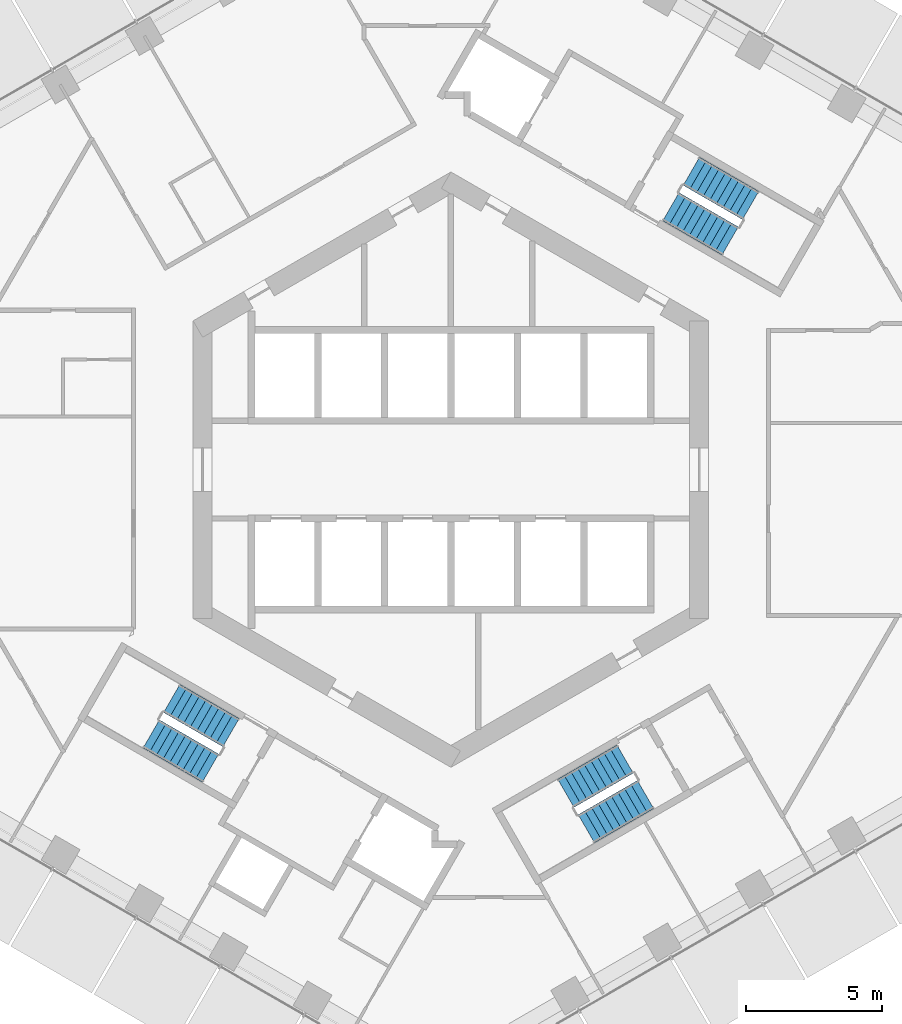
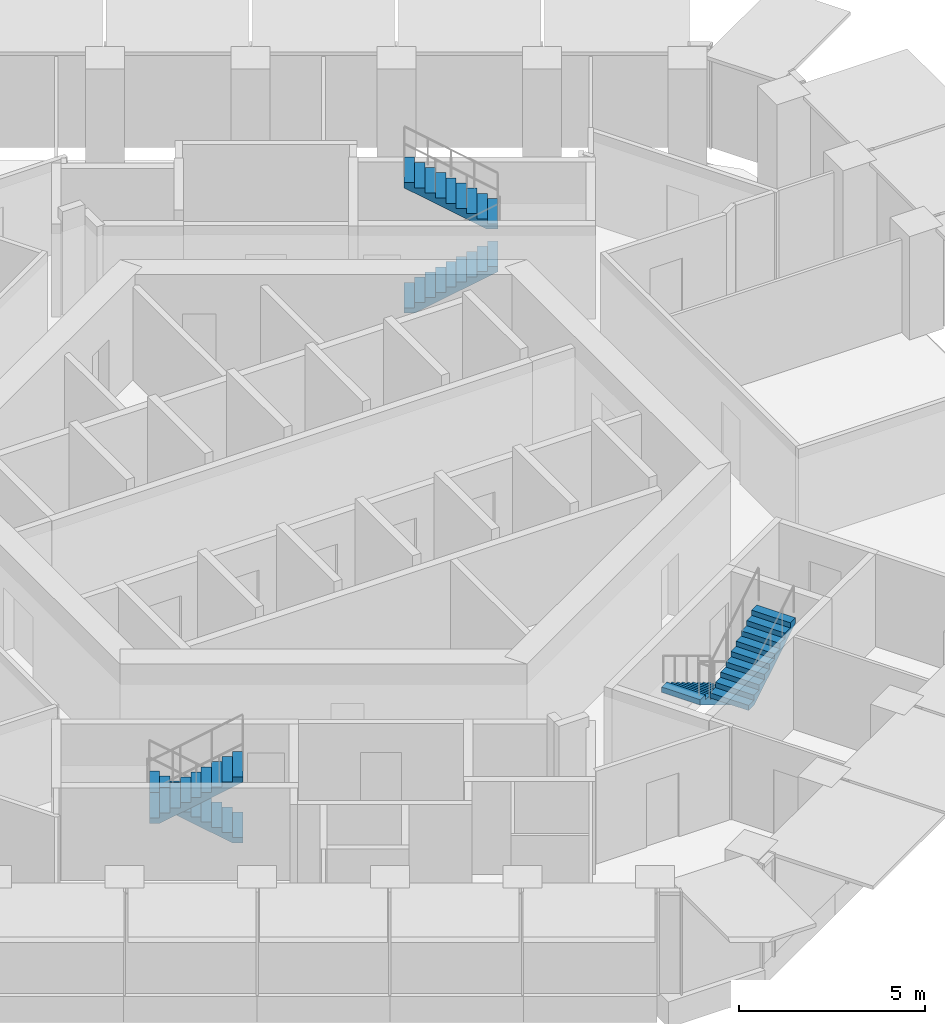
# One storey, part 16 of 18: 6 stair flights, 3 elements without a shape of their own.
"""IFC4 building model written with IfcOpenShell, lengths in metres."""

import ifcopenshell
import ifcopenshell.guid

model = None  # the IFC model being written
_history = None  # IfcOwnerHistory: only IFC2X3 demands one
_inside = {}  # id of a spatial element -> (the spatial element, [elements in it])
_under = {}  # id of a project, library or spatial element -> (it, [spatial elements below it])
_declared = {}  # id of a project -> (the project, [libraries it declares])
_typed = {}  # id of a type object -> (the type object, [elements of that type])
_made_of = {}  # id of a material, layer set ... -> (it, [elements and type objects made of it])


def new_model(schema):
    """Start an empty IFC model of exactly this schema.

    Asked for "IFC4X3", IfcOpenShell would pick the latest addendum, in which some entities
    have other attributes; the version numbers below select the first issue.
    IFC2X3 requires an IfcOwnerHistory on every rooted entity: one is made here for all.
    """
    global model, _history
    if schema == "IFC4X3":
        model = ifcopenshell.file(schema_version=(4, 3, 0, 0))
    else:
        model = ifcopenshell.file(schema=schema)
    _inside.clear()
    _under.clear()
    _declared.clear()
    _typed.clear()
    _made_of.clear()
    _history = None
    if model.schema == "IFC2X3":
        org = make("IfcOrganization", Name="unknown")
        user = make(
            "IfcPersonAndOrganization",
            ThePerson=make("IfcPerson", FamilyName="unknown"),
            TheOrganization=org,
        )
        app = make(
            "IfcApplication",
            ApplicationDeveloper=org,
            Version="unknown",
            ApplicationFullName="unknown",
            ApplicationIdentifier="unknown",
        )
        _history = make(
            "IfcOwnerHistory",
            OwningUser=user,
            OwningApplication=app,
            ChangeAction="ADDED",
            CreationDate=0,
        )
    return model


def make(cls, **values):
    """One entity of the class cls with the attributes given. An attribute that is None is left unset."""
    return model.create_entity(
        cls, **{name: value for name, value in values.items() if value is not None}
    )


def rooted(cls, **values):
    """An entity with a GlobalId (a new one), such as an element, a storey or a relation."""
    return make(cls, GlobalId=ifcopenshell.guid.new(), OwnerHistory=_history, **values)


def si_unit(unit_type, name, prefix=None):
    """IfcSIUnit, for example si_unit("LENGTHUNIT", "METRE", prefix="MILLI")."""
    return make("IfcSIUnit", UnitType=unit_type, Prefix=prefix, Name=name)


def assignment(units):
    """IfcUnitAssignment: the units of a project."""
    return None if units is None else make("IfcUnitAssignment", Units=units)


def point(xyz):
    """IfcCartesianPoint."""
    return None if xyz is None else make("IfcCartesianPoint", Coordinates=xyz)


def direction(xyz):
    """IfcDirection."""
    return None if xyz is None else make("IfcDirection", DirectionRatios=xyz)


def frame(location, z_axis=None, x_axis=None):
    """IfcAxis2Placement3D, a coordinate frame: its origin and axes. An axis left out is left unset."""
    return make(
        "IfcAxis2Placement3D",
        Location=point(location),
        Axis=direction(z_axis),
        RefDirection=direction(x_axis),
    )


def origin():
    """The frame at (0, 0, 0) with its axes left unset."""
    return frame((0.0, 0.0, 0.0))


def place(relative_to, where):
    """IfcLocalPlacement: puts the frame where relative to a parent placement (None: the world)."""
    return make(
        "IfcLocalPlacement", PlacementRelTo=relative_to, RelativePlacement=where
    )


def context(
    kind, dimensions, precision=None, world=None, true_north=None, identifier=None
):
    """IfcGeometricRepresentationContext, for example the 3D "Model" context."""
    return make(
        "IfcGeometricRepresentationContext",
        ContextIdentifier=identifier,
        ContextType=kind,
        CoordinateSpaceDimension=dimensions,
        Precision=precision,
        WorldCoordinateSystem=world,
        TrueNorth=true_north,
    )


def subcontext(parent, identifier, kind, view, scale=None):
    """IfcGeometricRepresentationSubContext, for example "Body" below "Model"."""
    return make(
        "IfcGeometricRepresentationSubContext",
        ContextIdentifier=identifier,
        ContextType=kind,
        ParentContext=parent,
        TargetScale=scale,
        TargetView=view,
    )


def project(units=None, contexts=None):
    """IfcProject with its units and contexts."""
    return rooted(
        "IfcProject",
        Name="project",
        RepresentationContexts=contexts,
        UnitsInContext=assignment(units),
    )


def spatial(cls, under=None, at=None, **own):
    """A site, building, storey or space (cls), placed at a placement, below another one or the project."""
    s = rooted(cls, ObjectPlacement=at, **own)
    if under is not None:
        _under.setdefault(under.id(), (under, []))[1].append(s)
    return s


def point_list(points):
    """IfcCartesianPointList2D or 3D."""
    cls = (
        "IfcCartesianPointList2D" if len(points[0]) == 2 else "IfcCartesianPointList3D"
    )
    return make(cls, CoordList=points)


def triangles(points, corners, closed=None, point_numbers=None):
    """IfcTriangulatedFaceSet: each triangle names its three corners, points numbered from 1."""
    return make(
        "IfcTriangulatedFaceSet",
        Coordinates=point_list(points),
        Closed=closed,
        CoordIndex=corners,
        PnIndex=point_numbers,
    )


def shape(context_of_items, identifier, shape_type, items):
    """IfcShapeRepresentation: the items that make up one representation, for example the "Body"."""
    return make(
        "IfcShapeRepresentation",
        ContextOfItems=context_of_items,
        RepresentationIdentifier=identifier,
        RepresentationType=shape_type,
        Items=items,
    )


def material(Name=None, Category=None):
    """IfcMaterial."""
    return make("IfcMaterial", Name=Name, Category=Category)


def made_of(thing, what):
    """Note that an element or type object is made of a material, layer set ...; save() writes the relation."""
    if what is not None:
        _made_of.setdefault(what.id(), (what, []))[1].append(thing)
    return thing


def type_object(cls, material=None, **own):
    """A type object (cls), such as IfcWallType, which elements share."""
    return made_of(rooted(cls, **own), material)


def element(
    cls,
    number,
    at=None,
    inside=None,
    cuts=None,
    type_object=None,
    material=None,
    context=None,
    identifier="Body",
    shape_type=None,
    held_by="IfcProductDefinitionShape",
    body=None,
    shapes=None,
    **own,
):
    """One element of the class cls, such as IfcWall. Its Tag is "e" and its number.

    at: its placement. inside: the storey or other place that contains it. cuts: it is an
    opening in that element (IfcRelVoidsElement). A single representation is given by context,
    identifier, shape_type and body (its items); several are given by shapes. held_by: the class
    of the entity that holds the representations. save() writes the other relations.
    """
    e = rooted(cls, Tag="e%d" % number, ObjectPlacement=at, **own)
    if body is not None:
        shapes = [shape(context, identifier, shape_type, body)]
    if shapes is not None:
        e.Representation = make(held_by, Representations=shapes)
    if inside is not None:
        _inside.setdefault(inside.id(), (inside, []))[1].append(e)
    if cuts is not None:
        rooted(
            "IfcRelVoidsElement", RelatingBuildingElement=cuts, RelatedOpeningElement=e
        )
    if type_object is not None:
        _typed.setdefault(type_object.id(), (type_object, []))[1].append(e)
    return made_of(e, material)


def aggregate(whole, parts):
    """IfcRelAggregates: a whole, such as a stair, and the parts it consists of."""
    return rooted("IfcRelAggregates", RelatingObject=whole, RelatedObjects=parts)


def save(model, path):
    """Write the relations noted so far, then the file.

    IfcRelAggregates (storeys below a building ...), IfcRelContainedInSpatialStructure (elements
    in a storey), IfcRelDefinesByType, IfcRelAssociatesMaterial and IfcRelDeclares: one each for
    every whole, place, type object, material and project.
    """
    for whole, parts in _under.values():
        aggregate(whole, parts)
    for where, things in _inside.values():
        rooted(
            "IfcRelContainedInSpatialStructure",
            RelatedElements=things,
            RelatingStructure=where,
        )
    for kind, things in _typed.values():
        rooted("IfcRelDefinesByType", RelatedObjects=things, RelatingType=kind)
    for what, things in _made_of.values():
        rooted("IfcRelAssociatesMaterial", RelatedObjects=things, RelatingMaterial=what)
    for by, libraries in _declared.values():
        rooted("IfcRelDeclares", RelatingContext=by, RelatedDefinitions=libraries)
    model.write(path)


model = new_model("IFC4")

# Units and contexts
model_context = context("Model", 3, precision=1e-05, world=origin(), true_north=direction((0.0, 1.0)))
body_context = subcontext(model_context, "Body", "Model", "MODEL_VIEW")
ifc_project = project(units=[si_unit("LENGTHUNIT", "METRE"), si_unit("AREAUNIT", "SQUARE_METRE"), si_unit("VOLUMEUNIT", "CUBIC_METRE"), si_unit("PLANEANGLEUNIT", "RADIAN"), si_unit("MASSUNIT", "GRAM", prefix="KILO")], contexts=[model_context])

# Site, building, storey
site_placement = place(None, origin())
site = spatial("IfcSite", under=ifc_project, at=site_placement, CompositionType="ELEMENT")
building_placement = place(site_placement, origin())
building = spatial("IfcBuilding", under=site, at=building_placement, Name="Ayvan Gate Tower", CompositionType="ELEMENT")
storey_placement = place(building_placement, frame((0.0, 0.0, 110.300048828125)))
storey = spatial("IfcBuildingStorey", under=building, at=storey_placement, Name="L29", CompositionType="ELEMENT", Elevation=110.300048828125)

# Stair, stair flights
ifc_material = material(Name="Concrete C40/50", Category="concrete")
stair_type = type_object("IfcStairType", Name="ST-EXIT", PredefinedType="HALF_TURN_STAIR", material=ifc_material)
stair_1_placement = place(storey_placement, origin())
stair_1 = element("IfcStair", 1, at=stair_1_placement, inside=storey, type_object=stair_type, Name="L29 Exit Stair S1", PredefinedType="HALF_TURN_STAIR")
stair_flight_type = type_object("IfcStairFlightType", Name="SFL-EXIT", PredefinedType="STRAIGHT", material=ifc_material)
stair_flight_1_placement = place(storey_placement, frame((8.106201171875, 9.690185546875, 0.0), z_axis=(0.0, 0.0, 1.0), x_axis=(0.866025403784, -0.5, 0.0)))
stair_flight_1 = element("IfcStairFlight", 2, at=stair_flight_1_placement, type_object=stair_flight_type, Name="STS1 flight 1", NumberOfRisers=10, NumberOfTreads=9, PredefinedType="STRAIGHT", RiserHeight=0.17, TreadLength=0.28, context=body_context, shape_type="Tessellation", body=[
    triangles([(0.288841, -0.599976, 0.0), (2.5205, -0.599976, 1.354936), (2.5205, -0.599976, 1.53), (2.24, -0.599976, 1.53), (2.24, -0.599976, 1.36), (1.96, -0.599976, 1.36), (1.96, -0.599976, 1.19), (1.68, -0.599976, 1.19), (1.68, -0.599976, 1.02), (1.4, -0.599976, 1.02), (1.4, -0.599976, 0.85), (1.12, -0.599976, 0.85), (1.12, -0.599976, 0.68), (0.84, -0.599976, 0.68), (0.84, -0.599976, 0.51), (0.56, -0.599976, 0.51), (0.56, -0.599976, 0.34), (0.28, -0.599976, 0.34), (0.28, -0.599976, 0.17), (-0.0005, -0.599976, 0.17), (-0.0005, -0.599976, 0.0), (0.288841, 0.0, 0.0), (2.5205, 0.0, 1.354936), (2.5205, 0.0, 1.53), (2.24, 0.0, 1.53), (2.24, 0.0, 1.36), (1.96, 0.0, 1.36), (1.96, 0.0, 1.19), (1.68, 0.0, 1.19), (1.68, 0.0, 1.02), (1.4, 0.0, 1.02), (1.4, 0.0, 0.85), (1.12, 0.0, 0.85), (1.12, 0.0, 0.68), (0.84, 0.0, 0.68), (0.84, 0.0, 0.51), (0.56, 0.0, 0.51), (0.56, 0.0, 0.34), (0.28, 0.0, 0.34), (0.28, 0.0, 0.17), (-0.0005, 0.0, 0.17), (-0.0005, 0.0, 0.0), (0.288841, 0.599976, 0.0), (2.5205, 0.599976, 1.354936), (2.5205, 0.599976, 1.53), (2.24, 0.599976, 1.53), (2.24, 0.599976, 1.36), (1.96, 0.599976, 1.36), (1.96, 0.599976, 1.19), (1.68, 0.599976, 1.19), (1.68, 0.599976, 1.02), (1.4, 0.599976, 1.02), (1.4, 0.599976, 0.85), (1.12, 0.599976, 0.85), (1.12, 0.599976, 0.68), (0.84, 0.599976, 0.68), (0.84, 0.599976, 0.51), (0.56, 0.599976, 0.51), (0.56, 0.599976, 0.34), (0.28, 0.599976, 0.34), (0.28, 0.599976, 0.17), (-0.0005, 0.599976, 0.17), (-0.0005, 0.599976, 0.0)], [[21, 1, 2], [63, 44, 43], [2, 3, 4], [44, 46, 45], [2, 4, 5], [44, 47, 46], [2, 5, 6], [44, 48, 47], [2, 6, 7], [44, 49, 48], [7, 8, 9], [49, 51, 50], [2, 7, 9], [44, 51, 49], [9, 10, 11], [51, 53, 52], [2, 9, 11], [44, 53, 51], [11, 12, 13], [53, 55, 54], [2, 11, 13], [44, 55, 53], [13, 14, 15], [55, 57, 56], [2, 13, 15], [44, 57, 55], [15, 16, 17], [57, 59, 58], [2, 15, 17], [44, 59, 57], [17, 18, 19], [59, 61, 60], [2, 17, 19], [44, 61, 59], [21, 2, 19], [63, 61, 44], [19, 20, 21], [61, 63, 62], [1, 22, 23], [1, 23, 2], [43, 23, 22], [43, 44, 23], [2, 23, 24], [2, 24, 3], [44, 24, 23], [44, 45, 24], [3, 24, 25], [3, 25, 4], [45, 25, 24], [45, 46, 25], [4, 25, 26], [4, 26, 5], [46, 26, 25], [46, 47, 26], [5, 26, 27], [5, 27, 6], [47, 27, 26], [47, 48, 27], [6, 27, 28], [6, 28, 7], [48, 28, 27], [48, 49, 28], [7, 28, 29], [7, 29, 8], [49, 29, 28], [49, 50, 29], [8, 29, 30], [8, 30, 9], [50, 30, 29], [50, 51, 30], [9, 30, 31], [9, 31, 10], [51, 31, 30], [51, 52, 31], [10, 31, 32], [10, 32, 11], [52, 32, 31], [52, 53, 32], [11, 32, 33], [11, 33, 12], [53, 33, 32], [53, 54, 33], [12, 33, 34], [12, 34, 13], [54, 34, 33], [54, 55, 34], [13, 34, 35], [13, 35, 14], [55, 35, 34], [55, 56, 35], [14, 35, 36], [14, 36, 15], [56, 36, 35], [56, 57, 36], [15, 36, 37], [15, 37, 16], [57, 37, 36], [57, 58, 37], [16, 37, 38], [16, 38, 17], [58, 38, 37], [58, 59, 38], [17, 38, 39], [17, 39, 18], [59, 39, 38], [59, 60, 39], [18, 39, 40], [18, 40, 19], [60, 40, 39], [60, 61, 40], [19, 40, 41], [19, 41, 20], [61, 41, 40], [61, 62, 41], [20, 41, 42], [20, 42, 21], [62, 42, 41], [62, 63, 42], [21, 42, 22], [21, 22, 1], [63, 22, 42], [63, 43, 22]], closed=True),
])
stair_flight_2_placement = place(storey_placement, frame((11.04345703125, 9.73779296875, 1.699951171875), z_axis=(0.0, 0.0, 1.0), x_axis=(-0.866025403784, 0.5, 0.0)))
stair_flight_2 = element("IfcStairFlight", 3, at=stair_flight_2_placement, type_object=stair_flight_type, Name="STS1 flight 2", NumberOfRisers=10, NumberOfTreads=9, PredefinedType="STRAIGHT", RiserHeight=0.17, TreadLength=0.28, context=body_context, shape_type="Tessellation", body=[
    triangles([(0.288841, -0.599976, 0.0), (2.5205, -0.599976, 1.354936), (2.5205, -0.599976, 1.53), (2.24, -0.599976, 1.53), (2.24, -0.599976, 1.36), (1.96, -0.599976, 1.36), (1.96, -0.599976, 1.19), (1.68, -0.599976, 1.19), (1.68, -0.599976, 1.02), (1.4, -0.599976, 1.02), (1.4, -0.599976, 0.85), (1.12, -0.599976, 0.85), (1.12, -0.599976, 0.68), (0.84, -0.599976, 0.68), (0.84, -0.599976, 0.51), (0.56, -0.599976, 0.51), (0.56, -0.599976, 0.34), (0.28, -0.599976, 0.34), (0.28, -0.599976, 0.17), (-0.0005, -0.599976, 0.17), (-0.0005, -0.599976, 0.0), (0.288841, 0.0, 0.0), (2.5205, 0.0, 1.354936), (2.5205, 0.0, 1.53), (2.24, 0.0, 1.53), (2.24, 0.0, 1.36), (1.96, 0.0, 1.36), (1.96, 0.0, 1.19), (1.68, 0.0, 1.19), (1.68, 0.0, 1.02), (1.4, 0.0, 1.02), (1.4, 0.0, 0.85), (1.12, 0.0, 0.85), (1.12, 0.0, 0.68), (0.84, 0.0, 0.68), (0.84, 0.0, 0.51), (0.56, 0.0, 0.51), (0.56, 0.0, 0.34), (0.28, 0.0, 0.34), (0.28, 0.0, 0.17), (-0.0005, 0.0, 0.17), (-0.0005, 0.0, 0.0), (0.288841, 0.599976, 0.0), (2.5205, 0.599976, 1.354936), (2.5205, 0.599976, 1.53), (2.24, 0.599976, 1.53), (2.24, 0.599976, 1.36), (1.96, 0.599976, 1.36), (1.96, 0.599976, 1.19), (1.68, 0.599976, 1.19), (1.68, 0.599976, 1.02), (1.4, 0.599976, 1.02), (1.4, 0.599976, 0.85), (1.12, 0.599976, 0.85), (1.12, 0.599976, 0.68), (0.84, 0.599976, 0.68), (0.84, 0.599976, 0.51), (0.56, 0.599976, 0.51), (0.56, 0.599976, 0.34), (0.28, 0.599976, 0.34), (0.28, 0.599976, 0.17), (-0.0005, 0.599976, 0.17), (-0.0005, 0.599976, 0.0)], [[21, 1, 2], [63, 44, 43], [2, 3, 4], [44, 46, 45], [2, 4, 5], [44, 47, 46], [2, 5, 6], [44, 48, 47], [2, 6, 7], [44, 49, 48], [7, 8, 9], [49, 51, 50], [2, 7, 9], [44, 51, 49], [9, 10, 11], [51, 53, 52], [2, 9, 11], [44, 53, 51], [11, 12, 13], [53, 55, 54], [2, 11, 13], [44, 55, 53], [13, 14, 15], [55, 57, 56], [2, 13, 15], [44, 57, 55], [15, 16, 17], [57, 59, 58], [2, 15, 17], [44, 59, 57], [17, 18, 19], [59, 61, 60], [2, 17, 19], [44, 61, 59], [21, 2, 19], [63, 61, 44], [19, 20, 21], [61, 63, 62], [1, 22, 23], [1, 23, 2], [43, 23, 22], [43, 44, 23], [2, 23, 24], [2, 24, 3], [44, 24, 23], [44, 45, 24], [3, 24, 25], [3, 25, 4], [45, 25, 24], [45, 46, 25], [4, 25, 26], [4, 26, 5], [46, 26, 25], [46, 47, 26], [5, 26, 27], [5, 27, 6], [47, 27, 26], [47, 48, 27], [6, 27, 28], [6, 28, 7], [48, 28, 27], [48, 49, 28], [7, 28, 29], [7, 29, 8], [49, 29, 28], [49, 50, 29], [8, 29, 30], [8, 30, 9], [50, 30, 29], [50, 51, 30], [9, 30, 31], [9, 31, 10], [51, 31, 30], [51, 52, 31], [10, 31, 32], [10, 32, 11], [52, 32, 31], [52, 53, 32], [11, 32, 33], [11, 33, 12], [53, 33, 32], [53, 54, 33], [12, 33, 34], [12, 34, 13], [54, 34, 33], [54, 55, 34], [13, 34, 35], [13, 35, 14], [55, 35, 34], [55, 56, 35], [14, 35, 36], [14, 36, 15], [56, 36, 35], [56, 57, 36], [15, 36, 37], [15, 37, 16], [57, 37, 36], [57, 58, 37], [16, 37, 38], [16, 38, 17], [58, 38, 37], [58, 59, 38], [17, 38, 39], [17, 39, 18], [59, 39, 38], [59, 60, 39], [18, 39, 40], [18, 40, 19], [60, 40, 39], [60, 61, 40], [19, 40, 41], [19, 41, 20], [61, 41, 40], [61, 62, 41], [20, 41, 42], [20, 42, 21], [62, 42, 41], [62, 63, 42], [21, 42, 22], [21, 22, 1], [63, 22, 42], [63, 43, 22]], closed=True),
])
aggregate(stair_1, [stair_flight_1, stair_flight_2])

stair_2_placement = place(storey_placement, origin())
stair_2 = element("IfcStair", 4, at=stair_2_placement, inside=storey, type_object=stair_type, Name="L29 Exit Stair S2", PredefinedType="HALF_TURN_STAIR")
stair_flight_3_placement = place(storey_placement, frame((-8.106201171875, -9.690185546875, 0.0), z_axis=(0.0, 0.0, 1.0), x_axis=(-0.866025403784, 0.5, 0.0)))
stair_flight_3 = element("IfcStairFlight", 5, at=stair_flight_3_placement, type_object=stair_flight_type, Name="STS2 flight 1", NumberOfRisers=10, NumberOfTreads=9, PredefinedType="STRAIGHT", RiserHeight=0.17, TreadLength=0.28, context=body_context, shape_type="Tessellation", body=[
    triangles([(0.288841, -0.599976, 0.0), (2.5205, -0.599976, 1.354936), (2.5205, -0.599976, 1.53), (2.24, -0.599976, 1.53), (2.24, -0.599976, 1.36), (1.96, -0.599976, 1.36), (1.96, -0.599976, 1.19), (1.68, -0.599976, 1.19), (1.68, -0.599976, 1.02), (1.4, -0.599976, 1.02), (1.4, -0.599976, 0.85), (1.12, -0.599976, 0.85), (1.12, -0.599976, 0.68), (0.84, -0.599976, 0.68), (0.84, -0.599976, 0.51), (0.56, -0.599976, 0.51), (0.56, -0.599976, 0.34), (0.28, -0.599976, 0.34), (0.28, -0.599976, 0.17), (-0.0005, -0.599976, 0.17), (-0.0005, -0.599976, 0.0), (0.288841, 0.0, 0.0), (2.5205, 0.0, 1.354936), (2.5205, 0.0, 1.53), (2.24, 0.0, 1.53), (2.24, 0.0, 1.36), (1.96, 0.0, 1.36), (1.96, 0.0, 1.19), (1.68, 0.0, 1.19), (1.68, 0.0, 1.02), (1.4, 0.0, 1.02), (1.4, 0.0, 0.85), (1.12, 0.0, 0.85), (1.12, 0.0, 0.68), (0.84, 0.0, 0.68), (0.84, 0.0, 0.51), (0.56, 0.0, 0.51), (0.56, 0.0, 0.34), (0.28, 0.0, 0.34), (0.28, 0.0, 0.17), (-0.0005, 0.0, 0.17), (-0.0005, 0.0, 0.0), (0.288841, 0.599976, 0.0), (2.5205, 0.599976, 1.354936), (2.5205, 0.599976, 1.53), (2.24, 0.599976, 1.53), (2.24, 0.599976, 1.36), (1.96, 0.599976, 1.36), (1.96, 0.599976, 1.19), (1.68, 0.599976, 1.19), (1.68, 0.599976, 1.02), (1.4, 0.599976, 1.02), (1.4, 0.599976, 0.85), (1.12, 0.599976, 0.85), (1.12, 0.599976, 0.68), (0.84, 0.599976, 0.68), (0.84, 0.599976, 0.51), (0.56, 0.599976, 0.51), (0.56, 0.599976, 0.34), (0.28, 0.599976, 0.34), (0.28, 0.599976, 0.17), (-0.0005, 0.599976, 0.17), (-0.0005, 0.599976, 0.0)], [[21, 1, 2], [63, 44, 43], [2, 3, 4], [44, 46, 45], [2, 4, 5], [44, 47, 46], [2, 5, 6], [44, 48, 47], [2, 6, 7], [44, 49, 48], [7, 8, 9], [49, 51, 50], [2, 7, 9], [44, 51, 49], [9, 10, 11], [51, 53, 52], [2, 9, 11], [44, 53, 51], [11, 12, 13], [53, 55, 54], [2, 11, 13], [44, 55, 53], [13, 14, 15], [55, 57, 56], [2, 13, 15], [44, 57, 55], [15, 16, 17], [57, 59, 58], [2, 15, 17], [44, 59, 57], [17, 18, 19], [59, 61, 60], [2, 17, 19], [44, 61, 59], [21, 2, 19], [63, 61, 44], [19, 20, 21], [61, 63, 62], [1, 22, 23], [1, 23, 2], [43, 23, 22], [43, 44, 23], [2, 23, 24], [2, 24, 3], [44, 24, 23], [44, 45, 24], [3, 24, 25], [3, 25, 4], [45, 25, 24], [45, 46, 25], [4, 25, 26], [4, 26, 5], [46, 26, 25], [46, 47, 26], [5, 26, 27], [5, 27, 6], [47, 27, 26], [47, 48, 27], [6, 27, 28], [6, 28, 7], [48, 28, 27], [48, 49, 28], [7, 28, 29], [7, 29, 8], [49, 29, 28], [49, 50, 29], [8, 29, 30], [8, 30, 9], [50, 30, 29], [50, 51, 30], [9, 30, 31], [9, 31, 10], [51, 31, 30], [51, 52, 31], [10, 31, 32], [10, 32, 11], [52, 32, 31], [52, 53, 32], [11, 32, 33], [11, 33, 12], [53, 33, 32], [53, 54, 33], [12, 33, 34], [12, 34, 13], [54, 34, 33], [54, 55, 34], [13, 34, 35], [13, 35, 14], [55, 35, 34], [55, 56, 35], [14, 35, 36], [14, 36, 15], [56, 36, 35], [56, 57, 36], [15, 36, 37], [15, 37, 16], [57, 37, 36], [57, 58, 37], [16, 37, 38], [16, 38, 17], [58, 38, 37], [58, 59, 38], [17, 38, 39], [17, 39, 18], [59, 39, 38], [59, 60, 39], [18, 39, 40], [18, 40, 19], [60, 40, 39], [60, 61, 40], [19, 40, 41], [19, 41, 20], [61, 41, 40], [61, 62, 41], [20, 41, 42], [20, 42, 21], [62, 42, 41], [62, 63, 42], [21, 42, 22], [21, 22, 1], [63, 22, 42], [63, 43, 22]], closed=True),
])
stair_flight_4_placement = place(storey_placement, frame((-11.04345703125, -9.73779296875, 1.699951171875), z_axis=(0.0, 0.0, 1.0), x_axis=(0.866025403784, -0.5, 0.0)))
stair_flight_4 = element("IfcStairFlight", 6, at=stair_flight_4_placement, type_object=stair_flight_type, Name="STS2 flight 2", NumberOfRisers=10, NumberOfTreads=9, PredefinedType="STRAIGHT", RiserHeight=0.17, TreadLength=0.28, context=body_context, shape_type="Tessellation", body=[
    triangles([(0.288841, -0.599976, 0.0), (2.5205, -0.599976, 1.354936), (2.5205, -0.599976, 1.53), (2.24, -0.599976, 1.53), (2.24, -0.599976, 1.36), (1.96, -0.599976, 1.36), (1.96, -0.599976, 1.19), (1.68, -0.599976, 1.19), (1.68, -0.599976, 1.02), (1.4, -0.599976, 1.02), (1.4, -0.599976, 0.85), (1.12, -0.599976, 0.85), (1.12, -0.599976, 0.68), (0.84, -0.599976, 0.68), (0.84, -0.599976, 0.51), (0.56, -0.599976, 0.51), (0.56, -0.599976, 0.34), (0.28, -0.599976, 0.34), (0.28, -0.599976, 0.17), (-0.0005, -0.599976, 0.17), (-0.0005, -0.599976, 0.0), (0.288841, 0.0, 0.0), (2.5205, 0.0, 1.354936), (2.5205, 0.0, 1.53), (2.24, 0.0, 1.53), (2.24, 0.0, 1.36), (1.96, 0.0, 1.36), (1.96, 0.0, 1.19), (1.68, 0.0, 1.19), (1.68, 0.0, 1.02), (1.4, 0.0, 1.02), (1.4, 0.0, 0.85), (1.12, 0.0, 0.85), (1.12, 0.0, 0.68), (0.84, 0.0, 0.68), (0.84, 0.0, 0.51), (0.56, 0.0, 0.51), (0.56, 0.0, 0.34), (0.28, 0.0, 0.34), (0.28, 0.0, 0.17), (-0.0005, 0.0, 0.17), (-0.0005, 0.0, 0.0), (0.288841, 0.599976, 0.0), (2.5205, 0.599976, 1.354936), (2.5205, 0.599976, 1.53), (2.24, 0.599976, 1.53), (2.24, 0.599976, 1.36), (1.96, 0.599976, 1.36), (1.96, 0.599976, 1.19), (1.68, 0.599976, 1.19), (1.68, 0.599976, 1.02), (1.4, 0.599976, 1.02), (1.4, 0.599976, 0.85), (1.12, 0.599976, 0.85), (1.12, 0.599976, 0.68), (0.84, 0.599976, 0.68), (0.84, 0.599976, 0.51), (0.56, 0.599976, 0.51), (0.56, 0.599976, 0.34), (0.28, 0.599976, 0.34), (0.28, 0.599976, 0.17), (-0.0005, 0.599976, 0.17), (-0.0005, 0.599976, 0.0)], [[21, 1, 2], [63, 44, 43], [2, 3, 4], [44, 46, 45], [2, 4, 5], [44, 47, 46], [2, 5, 6], [44, 48, 47], [2, 6, 7], [44, 49, 48], [7, 8, 9], [49, 51, 50], [2, 7, 9], [44, 51, 49], [9, 10, 11], [51, 53, 52], [2, 9, 11], [44, 53, 51], [11, 12, 13], [53, 55, 54], [2, 11, 13], [44, 55, 53], [13, 14, 15], [55, 57, 56], [2, 13, 15], [44, 57, 55], [15, 16, 17], [57, 59, 58], [2, 15, 17], [44, 59, 57], [17, 18, 19], [59, 61, 60], [2, 17, 19], [44, 61, 59], [21, 2, 19], [63, 61, 44], [19, 20, 21], [61, 63, 62], [1, 22, 23], [1, 23, 2], [43, 23, 22], [43, 44, 23], [2, 23, 24], [2, 24, 3], [44, 24, 23], [44, 45, 24], [3, 24, 25], [3, 25, 4], [45, 25, 24], [45, 46, 25], [4, 25, 26], [4, 26, 5], [46, 26, 25], [46, 47, 26], [5, 26, 27], [5, 27, 6], [47, 27, 26], [47, 48, 27], [6, 27, 28], [6, 28, 7], [48, 28, 27], [48, 49, 28], [7, 28, 29], [7, 29, 8], [49, 29, 28], [49, 50, 29], [8, 29, 30], [8, 30, 9], [50, 30, 29], [50, 51, 30], [9, 30, 31], [9, 31, 10], [51, 31, 30], [51, 52, 31], [10, 31, 32], [10, 32, 11], [52, 32, 31], [52, 53, 32], [11, 32, 33], [11, 33, 12], [53, 33, 32], [53, 54, 33], [12, 33, 34], [12, 34, 13], [54, 34, 33], [54, 55, 34], [13, 34, 35], [13, 35, 14], [55, 35, 34], [55, 56, 35], [14, 35, 36], [14, 36, 15], [56, 36, 35], [56, 57, 36], [15, 36, 37], [15, 37, 16], [57, 37, 36], [57, 58, 37], [16, 37, 38], [16, 38, 17], [58, 38, 37], [58, 59, 38], [17, 38, 39], [17, 39, 18], [59, 39, 38], [59, 60, 39], [18, 39, 40], [18, 40, 19], [60, 40, 39], [60, 61, 40], [19, 40, 41], [19, 41, 20], [61, 41, 40], [61, 62, 41], [20, 41, 42], [20, 42, 21], [62, 42, 41], [62, 63, 42], [21, 42, 22], [21, 22, 1], [63, 22, 42], [63, 43, 22]], closed=True),
])
aggregate(stair_2, [stair_flight_3, stair_flight_4])

stair_3_placement = place(storey_placement, origin())
stair_3 = element("IfcStair", 7, at=stair_3_placement, inside=storey, type_object=stair_type, Name="L29 Exit Stair S3", PredefinedType="HALF_TURN_STAIR")
stair_flight_5_placement = place(storey_placement, frame((6.417236328125, -10.665283203125, 0.0), z_axis=(0.0, 0.0, 1.0), x_axis=(-0.866025403784, -0.5, 0.0)))
stair_flight_5 = element("IfcStairFlight", 8, at=stair_flight_5_placement, type_object=stair_flight_type, Name="STS3 flight 1", NumberOfRisers=10, NumberOfTreads=9, PredefinedType="STRAIGHT", RiserHeight=0.17, TreadLength=0.28, context=body_context, shape_type="Tessellation", body=[
    triangles([(0.288841, -0.599976, 0.0), (2.5205, -0.599976, 1.354936), (2.5205, -0.599976, 1.53), (2.24, -0.599976, 1.53), (2.24, -0.599976, 1.36), (1.96, -0.599976, 1.36), (1.96, -0.599976, 1.19), (1.68, -0.599976, 1.19), (1.68, -0.599976, 1.02), (1.4, -0.599976, 1.02), (1.4, -0.599976, 0.85), (1.12, -0.599976, 0.85), (1.12, -0.599976, 0.68), (0.84, -0.599976, 0.68), (0.84, -0.599976, 0.51), (0.56, -0.599976, 0.51), (0.56, -0.599976, 0.34), (0.28, -0.599976, 0.34), (0.28, -0.599976, 0.17), (-0.0005, -0.599976, 0.17), (-0.0005, -0.599976, 0.0), (0.288841, 0.0, 0.0), (2.5205, 0.0, 1.354936), (2.5205, 0.0, 1.53), (2.24, 0.0, 1.53), (2.24, 0.0, 1.36), (1.96, 0.0, 1.36), (1.96, 0.0, 1.19), (1.68, 0.0, 1.19), (1.68, 0.0, 1.02), (1.4, 0.0, 1.02), (1.4, 0.0, 0.85), (1.12, 0.0, 0.85), (1.12, 0.0, 0.68), (0.84, 0.0, 0.68), (0.84, 0.0, 0.51), (0.56, 0.0, 0.51), (0.56, 0.0, 0.34), (0.28, 0.0, 0.34), (0.28, 0.0, 0.17), (-0.0005, 0.0, 0.17), (-0.0005, 0.0, 0.0), (0.288841, 0.599976, 0.0), (2.5205, 0.599976, 1.354936), (2.5205, 0.599976, 1.53), (2.24, 0.599976, 1.53), (2.24, 0.599976, 1.36), (1.96, 0.599976, 1.36), (1.96, 0.599976, 1.19), (1.68, 0.599976, 1.19), (1.68, 0.599976, 1.02), (1.4, 0.599976, 1.02), (1.4, 0.599976, 0.85), (1.12, 0.599976, 0.85), (1.12, 0.599976, 0.68), (0.84, 0.599976, 0.68), (0.84, 0.599976, 0.51), (0.56, 0.599976, 0.51), (0.56, 0.599976, 0.34), (0.28, 0.599976, 0.34), (0.28, 0.599976, 0.17), (-0.0005, 0.599976, 0.17), (-0.0005, 0.599976, 0.0)], [[21, 1, 2], [63, 44, 43], [2, 3, 4], [44, 46, 45], [2, 4, 5], [44, 47, 46], [2, 5, 6], [44, 48, 47], [2, 6, 7], [44, 49, 48], [7, 8, 9], [49, 51, 50], [2, 7, 9], [44, 51, 49], [9, 10, 11], [51, 53, 52], [2, 9, 11], [44, 53, 51], [11, 12, 13], [53, 55, 54], [2, 11, 13], [44, 55, 53], [13, 14, 15], [55, 57, 56], [2, 13, 15], [44, 57, 55], [15, 16, 17], [57, 59, 58], [2, 15, 17], [44, 59, 57], [17, 18, 19], [59, 61, 60], [2, 17, 19], [44, 61, 59], [21, 2, 19], [63, 61, 44], [19, 20, 21], [61, 63, 62], [1, 22, 23], [1, 23, 2], [43, 23, 22], [43, 44, 23], [2, 23, 24], [2, 24, 3], [44, 24, 23], [44, 45, 24], [3, 24, 25], [3, 25, 4], [45, 25, 24], [45, 46, 25], [4, 25, 26], [4, 26, 5], [46, 26, 25], [46, 47, 26], [5, 26, 27], [5, 27, 6], [47, 27, 26], [47, 48, 27], [6, 27, 28], [6, 28, 7], [48, 28, 27], [48, 49, 28], [7, 28, 29], [7, 29, 8], [49, 29, 28], [49, 50, 29], [8, 29, 30], [8, 30, 9], [50, 30, 29], [50, 51, 30], [9, 30, 31], [9, 31, 10], [51, 31, 30], [51, 52, 31], [10, 31, 32], [10, 32, 11], [52, 32, 31], [52, 53, 32], [11, 32, 33], [11, 33, 12], [53, 33, 32], [53, 54, 33], [12, 33, 34], [12, 34, 13], [54, 34, 33], [54, 55, 34], [13, 34, 35], [13, 35, 14], [55, 35, 34], [55, 56, 35], [14, 35, 36], [14, 36, 15], [56, 36, 35], [56, 57, 36], [15, 36, 37], [15, 37, 16], [57, 37, 36], [57, 58, 37], [16, 37, 38], [16, 38, 17], [58, 38, 37], [58, 59, 38], [17, 38, 39], [17, 39, 18], [59, 39, 38], [59, 60, 39], [18, 39, 40], [18, 40, 19], [60, 40, 39], [60, 61, 40], [19, 40, 41], [19, 41, 20], [61, 41, 40], [61, 62, 41], [20, 41, 42], [20, 42, 21], [62, 42, 41], [62, 63, 42], [21, 42, 22], [21, 22, 1], [63, 22, 42], [63, 43, 22]], closed=True),
])
stair_flight_6_placement = place(storey_placement, frame((4.989990234375, -13.23291015625, 1.699951171875), z_axis=(0.0, 0.0, 1.0), x_axis=(0.866025403784, 0.5, 0.0)))
stair_flight_6 = element("IfcStairFlight", 9, at=stair_flight_6_placement, type_object=stair_flight_type, Name="STS3 flight 2", NumberOfRisers=10, NumberOfTreads=9, PredefinedType="STRAIGHT", RiserHeight=0.17, TreadLength=0.28, context=body_context, shape_type="Tessellation", body=[
    triangles([(0.288841, -0.599976, 0.0), (2.5205, -0.599976, 1.354936), (2.5205, -0.599976, 1.53), (2.24, -0.599976, 1.53), (2.24, -0.599976, 1.36), (1.96, -0.599976, 1.36), (1.96, -0.599976, 1.19), (1.68, -0.599976, 1.19), (1.68, -0.599976, 1.02), (1.4, -0.599976, 1.02), (1.4, -0.599976, 0.85), (1.12, -0.599976, 0.85), (1.12, -0.599976, 0.68), (0.84, -0.599976, 0.68), (0.84, -0.599976, 0.51), (0.56, -0.599976, 0.51), (0.56, -0.599976, 0.34), (0.28, -0.599976, 0.34), (0.28, -0.599976, 0.17), (-0.0005, -0.599976, 0.17), (-0.0005, -0.599976, 0.0), (0.288841, 0.0, 0.0), (2.5205, 0.0, 1.354936), (2.5205, 0.0, 1.53), (2.24, 0.0, 1.53), (2.24, 0.0, 1.36), (1.96, 0.0, 1.36), (1.96, 0.0, 1.19), (1.68, 0.0, 1.19), (1.68, 0.0, 1.02), (1.4, 0.0, 1.02), (1.4, 0.0, 0.85), (1.12, 0.0, 0.85), (1.12, 0.0, 0.68), (0.84, 0.0, 0.68), (0.84, 0.0, 0.51), (0.56, 0.0, 0.51), (0.56, 0.0, 0.34), (0.28, 0.0, 0.34), (0.28, 0.0, 0.17), (-0.0005, 0.0, 0.17), (-0.0005, 0.0, 0.0), (0.288841, 0.599976, 0.0), (2.5205, 0.599976, 1.354936), (2.5205, 0.599976, 1.53), (2.24, 0.599976, 1.53), (2.24, 0.599976, 1.36), (1.96, 0.599976, 1.36), (1.96, 0.599976, 1.19), (1.68, 0.599976, 1.19), (1.68, 0.599976, 1.02), (1.4, 0.599976, 1.02), (1.4, 0.599976, 0.85), (1.12, 0.599976, 0.85), (1.12, 0.599976, 0.68), (0.84, 0.599976, 0.68), (0.84, 0.599976, 0.51), (0.56, 0.599976, 0.51), (0.56, 0.599976, 0.34), (0.28, 0.599976, 0.34), (0.28, 0.599976, 0.17), (-0.0005, 0.599976, 0.17), (-0.0005, 0.599976, 0.0)], [[21, 1, 2], [63, 44, 43], [2, 3, 4], [44, 46, 45], [2, 4, 5], [44, 47, 46], [2, 5, 6], [44, 48, 47], [2, 6, 7], [44, 49, 48], [7, 8, 9], [49, 51, 50], [2, 7, 9], [44, 51, 49], [9, 10, 11], [51, 53, 52], [2, 9, 11], [44, 53, 51], [11, 12, 13], [53, 55, 54], [2, 11, 13], [44, 55, 53], [13, 14, 15], [55, 57, 56], [2, 13, 15], [44, 57, 55], [15, 16, 17], [57, 59, 58], [2, 15, 17], [44, 59, 57], [17, 18, 19], [59, 61, 60], [2, 17, 19], [44, 61, 59], [21, 2, 19], [63, 61, 44], [19, 20, 21], [61, 63, 62], [1, 22, 23], [1, 23, 2], [43, 23, 22], [43, 44, 23], [2, 23, 24], [2, 24, 3], [44, 24, 23], [44, 45, 24], [3, 24, 25], [3, 25, 4], [45, 25, 24], [45, 46, 25], [4, 25, 26], [4, 26, 5], [46, 26, 25], [46, 47, 26], [5, 26, 27], [5, 27, 6], [47, 27, 26], [47, 48, 27], [6, 27, 28], [6, 28, 7], [48, 28, 27], [48, 49, 28], [7, 28, 29], [7, 29, 8], [49, 29, 28], [49, 50, 29], [8, 29, 30], [8, 30, 9], [50, 30, 29], [50, 51, 30], [9, 30, 31], [9, 31, 10], [51, 31, 30], [51, 52, 31], [10, 31, 32], [10, 32, 11], [52, 32, 31], [52, 53, 32], [11, 32, 33], [11, 33, 12], [53, 33, 32], [53, 54, 33], [12, 33, 34], [12, 34, 13], [54, 34, 33], [54, 55, 34], [13, 34, 35], [13, 35, 14], [55, 35, 34], [55, 56, 35], [14, 35, 36], [14, 36, 15], [56, 36, 35], [56, 57, 36], [15, 36, 37], [15, 37, 16], [57, 37, 36], [57, 58, 37], [16, 37, 38], [16, 38, 17], [58, 38, 37], [58, 59, 38], [17, 38, 39], [17, 39, 18], [59, 39, 38], [59, 60, 39], [18, 39, 40], [18, 40, 19], [60, 40, 39], [60, 61, 40], [19, 40, 41], [19, 41, 20], [61, 41, 40], [61, 62, 41], [20, 41, 42], [20, 42, 21], [62, 42, 41], [62, 63, 42], [21, 42, 22], [21, 22, 1], [63, 22, 42], [63, 43, 22]], closed=True),
])
aggregate(stair_3, [stair_flight_5, stair_flight_6])

save(model, "model.ifc")
